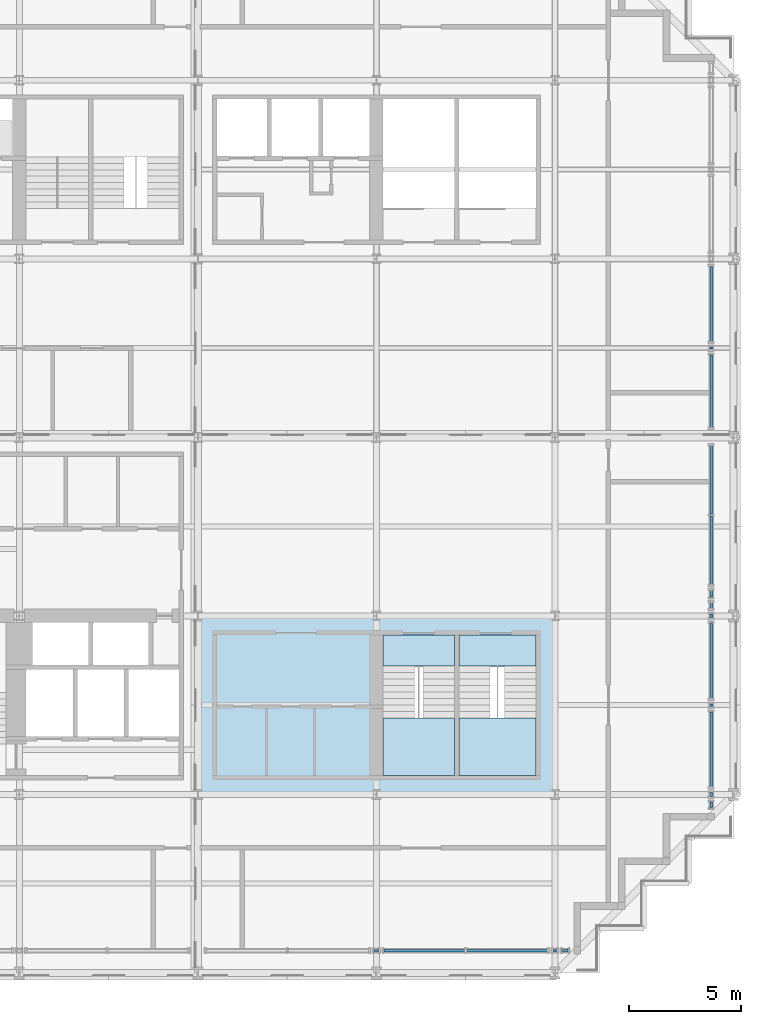
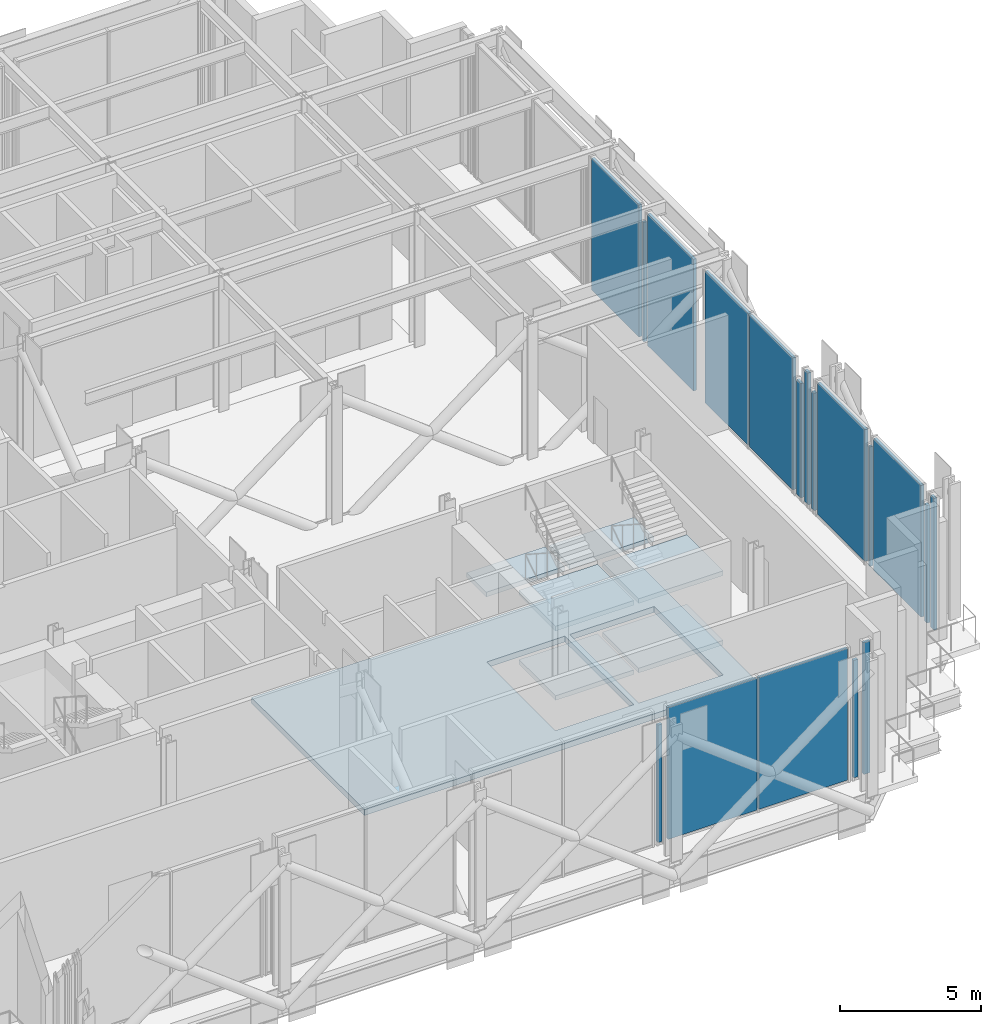
# One storey, part 14 of 25: 18 plates, 7 slabs, 18 elements without a shape of their own.
"""IFC4 building model written with IfcOpenShell, lengths in metres."""

from ifc_helpers import new_model, si_unit, direction, frame, origin, origin_2d, place, context, subcontext, project, spatial, polyline, rectangle, outline, extrude, material, layer, layer_set, type_object, element, aggregate, save


model = new_model("IFC4")

# Units and contexts
model_context = context("Model", 3, precision=1e-05, world=origin(), true_north=direction((0.0, 1.0)))
body_context = subcontext(model_context, "Body", "Model", "MODEL_VIEW")
ifc_project = project(units=[si_unit("LENGTHUNIT", "METRE"), si_unit("AREAUNIT", "SQUARE_METRE"), si_unit("VOLUMEUNIT", "CUBIC_METRE"), si_unit("PLANEANGLEUNIT", "RADIAN"), si_unit("MASSUNIT", "GRAM", prefix="KILO")], contexts=[model_context])

# Site, building, storey
site_placement = place(None, origin())
site = spatial("IfcSite", under=ifc_project, at=site_placement, CompositionType="ELEMENT")
building_placement = place(site_placement, origin())
building = spatial("IfcBuilding", under=site, at=building_placement, Name="Immortelle Media Tower", CompositionType="ELEMENT")
storey_placement = place(building_placement, frame((0.0, 0.0, 114.0)))
storey = spatial("IfcBuildingStorey", under=building, at=storey_placement, Name="L22", CompositionType="ELEMENT", Elevation=114.0)

# Slab
ifc_material_1 = material(Name="Concrete C50/60", Category="concrete")
ifc_layer_1 = layer(ifc_material_1, 0.25)
ifc_layer_set_1 = layer_set([ifc_layer_1], Name="Concrete C50/60")
slab_type_1 = type_object("IfcSlabType", Name="Core floor slab 250", PredefinedType="FLOOR", material=ifc_layer_set_1)
slab_1_placement = place(storey_placement, frame((0.0, 0.0, -0.25)))
element("IfcSlab", 1, at=slab_1_placement, inside=storey, type_object=slab_type_1, Name="Core floor SE", PredefinedType="FLOOR", context=body_context, shape_type="SweptSolid", body=[
    extrude(outline(polyline([(24.0, 8.0), (40.0, 8.0), (40.0, 16.0), (24.0, 16.0), (24.0, 8.0)]), holes=[polyline([(32.300048828125, 8.85009765625), (35.5, 8.85009765625), (35.5, 13.72998046875), (32.300048828125, 13.72998046875), (32.300048828125, 8.85009765625)]), polyline([(35.699951171875, 8.85009765625), (39.14990234375, 8.85009765625), (39.14990234375, 13.72998046875), (35.699951171875, 13.72998046875), (35.699951171875, 8.85009765625)])]), origin(), (0.0, 0.0, 1.0), 0.25),
])

# Curtain wall, plate
ifc_material_2 = material(Name="Aluminium curtain wall system", Category="aluminium")
curtain_wall_type = type_object("IfcCurtainWallType", Name="Plant louvre wall curtain wall", PredefinedType="NOTDEFINED", material=ifc_material_2)
curtain_wall_1_placement = place(storey_placement, origin())
curtain_wall_1 = element("IfcCurtainWall", 2, at=curtain_wall_1_placement, inside=storey, type_object=curtain_wall_type, Name="Plant louvre wall L22 S 7-8", PredefinedType="NOTDEFINED")
ifc_material_3 = material(Name="Pale aluminium louvre panel", Category="aluminium")
ifc_layer_2 = layer(ifc_material_3, 0.1201171875)
ifc_layer_set_2 = layer_set([ifc_layer_2], Name="Pale aluminium louvre panel")
plate_type = type_object("IfcPlateType", Name="Dust and storm rated louvre panel 120 mm", PredefinedType="CURTAIN_PANEL", material=ifc_layer_set_2)
plate_1_placement = place(storey_placement, frame((32.0, 1.0, 0.080078125), z_axis=(0.0, 0.0, 1.0), x_axis=(1.0, 0.0, 0.0)))
plate_1 = element("IfcPlate", 3, at=plate_1_placement, type_object=plate_type, Name="CW6 panel 1.1", PredefinedType="CURTAIN_PANEL", context=body_context, shape_type="SweptSolid", body=[
    extrude(rectangle(XDim=0.1689453125, YDim=0.1201171875, at=origin_2d()), origin(), (0.0, 0.0, 1.0), 5.077392578125),
])
aggregate(curtain_wall_1, [plate_1])

# Curtain wall, plates
curtain_wall_2_placement = place(storey_placement, origin())
curtain_wall_2 = element("IfcCurtainWall", 4, at=curtain_wall_2_placement, inside=storey, type_object=curtain_wall_type, Name="Plant louvre wall L22 S 7-9", PredefinedType="NOTDEFINED")
plate_2_placement = place(storey_placement, frame((34.147216796875, 1.0, 0.080078125), z_axis=(0.0, 0.0, 1.0), x_axis=(1.0, 0.0, 0.0)))
plate_2 = element("IfcPlate", 5, at=plate_2_placement, type_object=plate_type, Name="CW6 panel 1.1", PredefinedType="CURTAIN_PANEL", context=body_context, shape_type="SweptSolid", body=[
    extrude(rectangle(XDim=3.62548828125, YDim=0.1201171875, at=origin_2d()), origin(), (0.0, 0.0, 1.0), 5.689453125),
])
plate_3_placement = place(storey_placement, frame((37.852783203125, 1.0, 0.080078125), z_axis=(0.0, 0.0, 1.0), x_axis=(1.0, 0.0, 0.0)))
plate_3 = element("IfcPlate", 6, at=plate_3_placement, type_object=plate_type, Name="CW6 panel 2.1", PredefinedType="CURTAIN_PANEL", context=body_context, shape_type="SweptSolid", body=[
    extrude(rectangle(XDim=3.62548828125, YDim=0.1201171875, at=origin_2d()), origin(), (0.0, 0.0, 1.0), 5.689453125),
])
aggregate(curtain_wall_2, [plate_2, plate_3])

# Curtain wall, plate
curtain_wall_3_placement = place(storey_placement, origin())
curtain_wall_3 = element("IfcCurtainWall", 7, at=curtain_wall_3_placement, inside=storey, type_object=curtain_wall_type, Name="Plant louvre wall L22 S 7-10", PredefinedType="NOTDEFINED")
plate_4_placement = place(storey_placement, frame((40.0, 1.0, 0.080078125), z_axis=(0.0, 0.0, 1.0), x_axis=(1.0, 0.0, 0.0)))
plate_4 = element("IfcPlate", 8, at=plate_4_placement, type_object=plate_type, Name="CW6 panel 1.1", PredefinedType="CURTAIN_PANEL", context=body_context, shape_type="SweptSolid", body=[
    extrude(rectangle(XDim=0.1689453125, YDim=0.1201171875, at=origin_2d()), origin(), (0.0, 0.0, 1.0), 5.077392578125),
])
aggregate(curtain_wall_3, [plate_4])

curtain_wall_4_placement = place(storey_placement, origin())
curtain_wall_4 = element("IfcCurtainWall", 9, at=curtain_wall_4_placement, inside=storey, type_object=curtain_wall_type, Name="Plant louvre wall L22 S 7-11", PredefinedType="NOTDEFINED")
plate_5_placement = place(storey_placement, frame((40.462890625, 1.0, 0.080078125), z_axis=(0.0, 0.0, 1.0), x_axis=(1.0, 0.0, 0.0)))
plate_5 = element("IfcPlate", 10, at=plate_5_placement, type_object=plate_type, Name="CW6 panel 1.1", PredefinedType="CURTAIN_PANEL", context=body_context, shape_type="SweptSolid", body=[
    extrude(rectangle(XDim=0.256591796875, YDim=0.1201171875, at=origin_2d()), origin(), (0.0, 0.0, 1.0), 5.689453125),
])
aggregate(curtain_wall_4, [plate_5])

curtain_wall_5_placement = place(storey_placement, origin())
curtain_wall_5 = element("IfcCurtainWall", 11, at=curtain_wall_5_placement, inside=storey, type_object=curtain_wall_type, Name="Plant louvre wall L22 E 14-2", PredefinedType="NOTDEFINED")
plate_6_placement = place(storey_placement, frame((47.0, 7.537109375, 0.080078125), z_axis=(0.0, 0.0, 1.0), x_axis=(0.0, 1.0, 0.0)))
plate_6 = element("IfcPlate", 12, at=plate_6_placement, type_object=plate_type, Name="CW6 panel 1.1", PredefinedType="CURTAIN_PANEL", context=body_context, shape_type="SweptSolid", body=[
    extrude(rectangle(XDim=0.256591796875, YDim=0.1201171875, at=origin_2d()), origin(), (0.0, 0.0, 1.0), 5.689453125),
])
aggregate(curtain_wall_5, [plate_6])

curtain_wall_6_placement = place(storey_placement, origin())
curtain_wall_6 = element("IfcCurtainWall", 13, at=curtain_wall_6_placement, inside=storey, type_object=curtain_wall_type, Name="Plant louvre wall L22 E 14-3", PredefinedType="NOTDEFINED")
plate_7_placement = place(storey_placement, frame((47.0, 8.0, 0.080078125), z_axis=(0.0, 0.0, 1.0), x_axis=(0.0, 1.0, 0.0)))
plate_7 = element("IfcPlate", 14, at=plate_7_placement, type_object=plate_type, Name="CW6 panel 1.1", PredefinedType="CURTAIN_PANEL", context=body_context, shape_type="SweptSolid", body=[
    extrude(rectangle(XDim=0.1689453125, YDim=0.1201171875, at=origin_2d()), origin(), (0.0, 0.0, 1.0), 5.077392578125),
])
aggregate(curtain_wall_6, [plate_7])

curtain_wall_7_placement = place(storey_placement, origin())
curtain_wall_7 = element("IfcCurtainWall", 15, at=curtain_wall_7_placement, inside=storey, type_object=curtain_wall_type, Name="Plant louvre wall L22 E 14-4", PredefinedType="NOTDEFINED")
plate_8_placement = place(storey_placement, frame((47.0, 10.01611328125, 0.080078125), z_axis=(0.0, 0.0, 1.0), x_axis=(0.0, 1.0, 0.0)))
plate_8 = element("IfcPlate", 16, at=plate_8_placement, type_object=plate_type, Name="CW6 panel 1.1", PredefinedType="CURTAIN_PANEL", context=body_context, shape_type="SweptSolid", body=[
    extrude(rectangle(XDim=3.363037109375, YDim=0.1201171875, at=origin_2d()), origin(), (0.0, 0.0, 1.0), 5.689453125),
])
aggregate(curtain_wall_7, [plate_8])

curtain_wall_8_placement = place(storey_placement, origin())
curtain_wall_8 = element("IfcCurtainWall", 17, at=curtain_wall_8_placement, inside=storey, type_object=curtain_wall_type, Name="Plant louvre wall L22 E 14-5", PredefinedType="NOTDEFINED")
plate_9_placement = place(storey_placement, frame((47.0, 12.0, 0.080078125), z_axis=(0.0, 0.0, 1.0), x_axis=(0.0, 1.0, 0.0)))
plate_9 = element("IfcPlate", 18, at=plate_9_placement, type_object=plate_type, Name="CW6 panel 1.1", PredefinedType="CURTAIN_PANEL", context=body_context, shape_type="SweptSolid", body=[
    extrude(rectangle(XDim=0.10498046875, YDim=0.1201171875, at=origin_2d()), origin(), (0.0, 0.0, 1.0), 5.16357421875),
])
aggregate(curtain_wall_8, [plate_9])

curtain_wall_9_placement = place(storey_placement, origin())
curtain_wall_9 = element("IfcCurtainWall", 19, at=curtain_wall_9_placement, inside=storey, type_object=curtain_wall_type, Name="Plant louvre wall L22 E 14-6", PredefinedType="NOTDEFINED")
plate_10_placement = place(storey_placement, frame((47.0, 13.98388671875, 0.080078125), z_axis=(0.0, 0.0, 1.0), x_axis=(0.0, 1.0, 0.0)))
plate_10 = element("IfcPlate", 20, at=plate_10_placement, type_object=plate_type, Name="CW6 panel 1.1", PredefinedType="CURTAIN_PANEL", context=body_context, shape_type="SweptSolid", body=[
    extrude(rectangle(XDim=3.363037109375, YDim=0.1201171875, at=origin_2d()), origin(), (0.0, 0.0, 1.0), 5.689453125),
])
aggregate(curtain_wall_9, [plate_10])

curtain_wall_10_placement = place(storey_placement, origin())
curtain_wall_10 = element("IfcCurtainWall", 21, at=curtain_wall_10_placement, inside=storey, type_object=curtain_wall_type, Name="Plant louvre wall L22 E 14-7", PredefinedType="NOTDEFINED")
plate_11_placement = place(storey_placement, frame((47.0, 16.0, 0.080078125), z_axis=(0.0, 0.0, 1.0), x_axis=(0.0, 1.0, 0.0)))
plate_11 = element("IfcPlate", 22, at=plate_11_placement, type_object=plate_type, Name="CW6 panel 1.1", PredefinedType="CURTAIN_PANEL", context=body_context, shape_type="SweptSolid", body=[
    extrude(rectangle(XDim=0.1689453125, YDim=0.1201171875, at=origin_2d()), origin(), (0.0, 0.0, 1.0), 5.077392578125),
])
aggregate(curtain_wall_10, [plate_11])

curtain_wall_11_placement = place(storey_placement, origin())
curtain_wall_11 = element("IfcCurtainWall", 23, at=curtain_wall_11_placement, inside=storey, type_object=curtain_wall_type, Name="Plant louvre wall L22 E 14-8", PredefinedType="NOTDEFINED")
plate_12_placement = place(storey_placement, frame((47.0, 16.462890625, 0.080078125), z_axis=(0.0, 0.0, 1.0), x_axis=(0.0, 1.0, 0.0)))
plate_12 = element("IfcPlate", 24, at=plate_12_placement, type_object=plate_type, Name="CW6 panel 1.1", PredefinedType="CURTAIN_PANEL", context=body_context, shape_type="SweptSolid", body=[
    extrude(rectangle(XDim=0.256591796875, YDim=0.1201171875, at=origin_2d()), origin(), (0.0, 0.0, 1.0), 5.689453125),
])
aggregate(curtain_wall_11, [plate_12])

curtain_wall_12_placement = place(storey_placement, origin())
curtain_wall_12 = element("IfcCurtainWall", 25, at=curtain_wall_12_placement, inside=storey, type_object=curtain_wall_type, Name="Plant louvre wall L22 E 14-9", PredefinedType="NOTDEFINED")
plate_13_placement = place(storey_placement, frame((47.0, 17.0, 0.080078125), z_axis=(0.0, 0.0, 1.0), x_axis=(0.0, 1.0, 0.0)))
plate_13 = element("IfcPlate", 26, at=plate_13_placement, type_object=plate_type, Name="CW6 panel 1.1", PredefinedType="CURTAIN_PANEL", context=body_context, shape_type="SweptSolid", body=[
    extrude(rectangle(XDim=0.317626953125, YDim=0.1201171875, at=origin_2d()), origin(), (0.0, 0.0, 1.0), 4.927490234375),
])
aggregate(curtain_wall_12, [plate_13])

# Curtain wall, plates
curtain_wall_13_placement = place(storey_placement, origin())
curtain_wall_13 = element("IfcCurtainWall", 27, at=curtain_wall_13_placement, inside=storey, type_object=curtain_wall_type, Name="Plant louvre wall L22 E 14-10", PredefinedType="NOTDEFINED")
plate_14_placement = place(storey_placement, frame((47.0, 18.943115234375, 0.080078125), z_axis=(0.0, 0.0, 1.0), x_axis=(0.0, 1.0, 0.0)))
plate_14 = element("IfcPlate", 28, at=plate_14_placement, type_object=plate_type, Name="CW6 panel 1.1", PredefinedType="CURTAIN_PANEL", context=body_context, shape_type="SweptSolid", body=[
    extrude(rectangle(XDim=3.06884765625, YDim=0.1201171875, at=origin_2d()), origin(), (0.0, 0.0, 1.0), 5.689453125),
])
plate_15_placement = place(storey_placement, frame((47.0, 22.092041015625, 0.080078125), z_axis=(0.0, 0.0, 1.0), x_axis=(0.0, 1.0, 0.0)))
plate_15 = element("IfcPlate", 29, at=plate_15_placement, type_object=plate_type, Name="CW6 panel 2.1", PredefinedType="CURTAIN_PANEL", context=body_context, shape_type="SweptSolid", body=[
    extrude(rectangle(XDim=3.06884765625, YDim=0.1201171875, at=origin_2d()), origin(), (0.0, 0.0, 1.0), 5.689453125),
])
aggregate(curtain_wall_13, [plate_14, plate_15])

# Curtain wall, plate
curtain_wall_14_placement = place(storey_placement, origin())
curtain_wall_14 = element("IfcCurtainWall", 30, at=curtain_wall_14_placement, inside=storey, type_object=curtain_wall_type, Name="Plant louvre wall L22 E 14-11", PredefinedType="NOTDEFINED")
plate_16_placement = place(storey_placement, frame((47.0, 26.07177734375, 0.080078125), z_axis=(0.0, 0.0, 1.0), x_axis=(0.0, 1.0, 0.0)))
plate_16 = element("IfcPlate", 31, at=plate_16_placement, type_object=plate_type, Name="CW6 panel 1.1", PredefinedType="CURTAIN_PANEL", context=body_context, shape_type="SweptSolid", body=[
    extrude(rectangle(XDim=3.25146484375, YDim=0.1201171875, at=origin_2d()), origin(), (0.0, 0.0, 1.0), 5.689453125),
])
aggregate(curtain_wall_14, [plate_16])

curtain_wall_15_placement = place(storey_placement, origin())
curtain_wall_15 = element("IfcCurtainWall", 32, at=curtain_wall_15_placement, inside=storey, type_object=curtain_wall_type, Name="Plant louvre wall L22 E 14-12", PredefinedType="NOTDEFINED")
plate_17_placement = place(storey_placement, frame((47.0, 28.0, 0.080078125), z_axis=(0.0, 0.0, 1.0), x_axis=(0.0, 1.0, 0.0)))
plate_17 = element("IfcPlate", 33, at=plate_17_placement, type_object=plate_type, Name="CW6 panel 1.1", PredefinedType="CURTAIN_PANEL", context=body_context, shape_type="SweptSolid", body=[
    extrude(rectangle(XDim=0.10498046875, YDim=0.1201171875, at=origin_2d()), origin(), (0.0, 0.0, 1.0), 5.16357421875),
])
aggregate(curtain_wall_15, [plate_17])

curtain_wall_16_placement = place(storey_placement, origin())
curtain_wall_16 = element("IfcCurtainWall", 34, at=curtain_wall_16_placement, inside=storey, type_object=curtain_wall_type, Name="Plant louvre wall L22 E 14-13", PredefinedType="NOTDEFINED")
plate_18_placement = place(storey_placement, frame((47.0, 29.98388671875, 0.080078125), z_axis=(0.0, 0.0, 1.0), x_axis=(0.0, 1.0, 0.0)))
plate_18 = element("IfcPlate", 35, at=plate_18_placement, type_object=plate_type, Name="CW6 panel 1.1", PredefinedType="CURTAIN_PANEL", context=body_context, shape_type="SweptSolid", body=[
    extrude(rectangle(XDim=3.363037109375, YDim=0.1201171875, at=origin_2d()), origin(), (0.0, 0.0, 1.0), 5.689453125),
])
aggregate(curtain_wall_16, [plate_18])

# Stair, slabs
ifc_material_4 = material(Name="Steel ASTM A992 Gr 50", Category="steel")
stair_type = type_object("IfcStairType", Name="Stair with flights", PredefinedType="DOUBLE_RETURN_STAIR", material=ifc_material_4)
stair_1_placement = place(storey_placement, origin())
stair_1 = element("IfcStair", 36, at=stair_1_placement, inside=storey, type_object=stair_type, Name="Exit stair SE1", PredefinedType="DOUBLE_RETURN_STAIR")
ifc_material_5 = material(Name="Steel ASTM A572 Gr 50", Category="steel")
ifc_layer_3 = layer(ifc_material_5, 0.199951171875)
ifc_layer_set_3 = layer_set([ifc_layer_3], Name="Steel ASTM A572 Gr 50")
slab_type_2 = type_object("IfcSlabType", Name="Stair landing 200", PredefinedType="LANDING", material=ifc_layer_set_3)
slab_2_placement = place(storey_placement, frame((0.0, 0.0, 1.300048828125)))
slab_2 = element("IfcSlab", 37, at=slab_2_placement, type_object=slab_type_2, Name="ST SE1 landing 1", PredefinedType="LANDING", context=body_context, shape_type="SweptSolid", body=[
    extrude(outline(polyline([(32.300048828125, 8.85009765625), (35.5, 8.85009765625), (35.5, 11.429931640625), (32.300048828125, 11.429931640625), (32.300048828125, 8.85009765625)])), origin(), (0.0, 0.0, 1.0), 0.199951171875),
])
slab_3_placement = place(storey_placement, frame((0.0, 0.0, 2.800048828125)))
slab_3 = element("IfcSlab", 38, at=slab_3_placement, type_object=slab_type_2, Name="ST SE1 landing 2", PredefinedType="LANDING", context=body_context, shape_type="SweptSolid", body=[
    extrude(outline(polyline([(32.300048828125, 13.75), (35.5, 13.75), (35.5, 15.14990234375), (32.300048828125, 15.14990234375), (32.300048828125, 13.75)])), origin(), (0.0, 0.0, 1.0), 0.199951171875),
])
slab_4_placement = place(storey_placement, frame((0.0, 0.0, 4.300048828125)))
slab_4 = element("IfcSlab", 39, at=slab_4_placement, type_object=slab_type_2, Name="ST SE1 landing 3", PredefinedType="LANDING", context=body_context, shape_type="SweptSolid", body=[
    extrude(outline(polyline([(32.300048828125, 8.85009765625), (35.5, 8.85009765625), (35.5, 11.429931640625), (32.300048828125, 11.429931640625), (32.300048828125, 8.85009765625)])), origin(), (0.0, 0.0, 1.0), 0.199951171875),
])
aggregate(stair_1, [slab_2, slab_3, slab_4])

stair_2_placement = place(storey_placement, origin())
stair_2 = element("IfcStair", 40, at=stair_2_placement, inside=storey, type_object=stair_type, Name="Exit stair SE2", PredefinedType="DOUBLE_RETURN_STAIR")
slab_5_placement = place(storey_placement, frame((0.0, 0.0, 1.300048828125)))
slab_5 = element("IfcSlab", 41, at=slab_5_placement, type_object=slab_type_2, Name="ST SE2 landing 1", PredefinedType="LANDING", context=body_context, shape_type="SweptSolid", body=[
    extrude(outline(polyline([(35.699951171875, 8.85009765625), (39.14990234375, 8.85009765625), (39.14990234375, 11.429931640625), (35.699951171875, 11.429931640625), (35.699951171875, 8.85009765625)])), origin(), (0.0, 0.0, 1.0), 0.199951171875),
])
slab_6_placement = place(storey_placement, frame((0.0, 0.0, 2.800048828125)))
slab_6 = element("IfcSlab", 42, at=slab_6_placement, type_object=slab_type_2, Name="ST SE2 landing 2", PredefinedType="LANDING", context=body_context, shape_type="SweptSolid", body=[
    extrude(outline(polyline([(35.699951171875, 13.75), (39.14990234375, 13.75), (39.14990234375, 15.14990234375), (35.699951171875, 15.14990234375), (35.699951171875, 13.75)])), origin(), (0.0, 0.0, 1.0), 0.199951171875),
])
slab_7_placement = place(storey_placement, frame((0.0, 0.0, 4.300048828125)))
slab_7 = element("IfcSlab", 43, at=slab_7_placement, type_object=slab_type_2, Name="ST SE2 landing 3", PredefinedType="LANDING", context=body_context, shape_type="SweptSolid", body=[
    extrude(outline(polyline([(35.699951171875, 8.85009765625), (39.14990234375, 8.85009765625), (39.14990234375, 11.429931640625), (35.699951171875, 11.429931640625), (35.699951171875, 8.85009765625)])), origin(), (0.0, 0.0, 1.0), 0.199951171875),
])
aggregate(stair_2, [slab_5, slab_6, slab_7])

save(model, "model.ifc")
